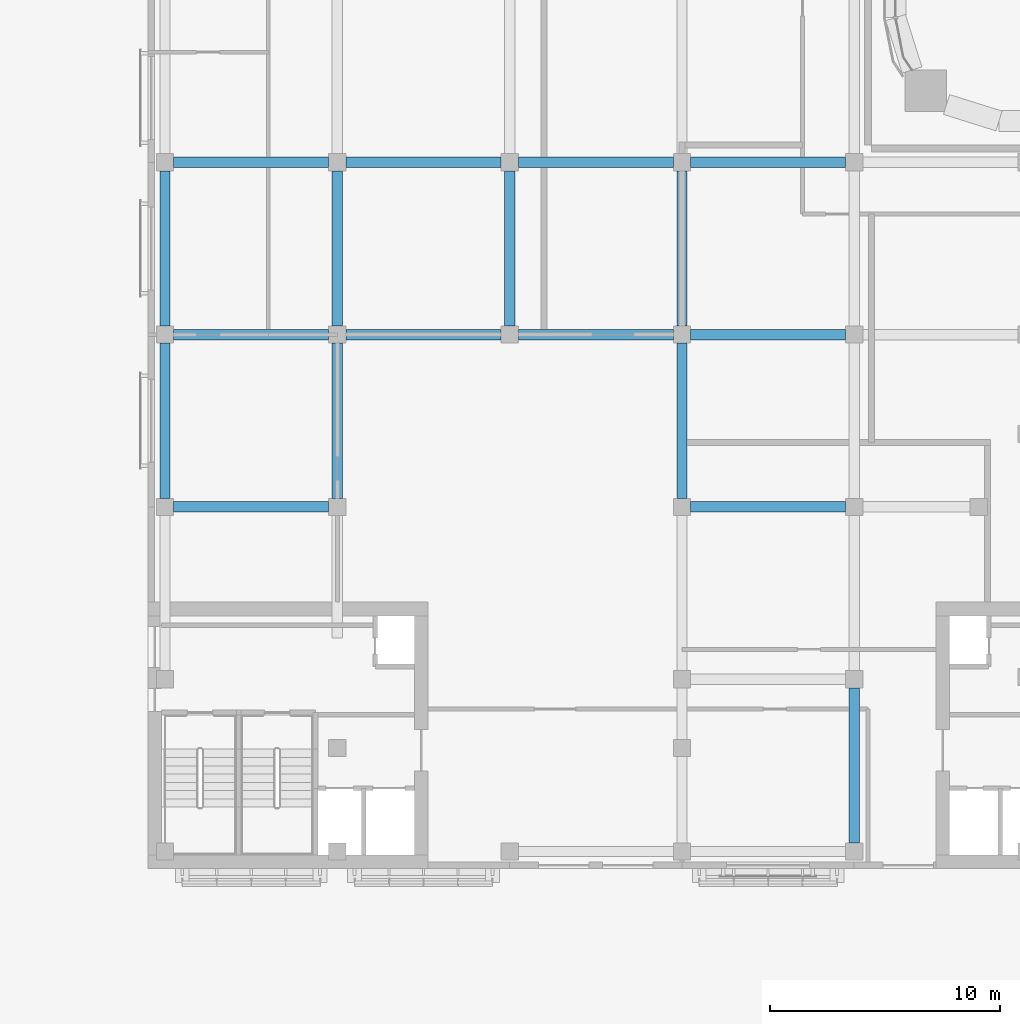
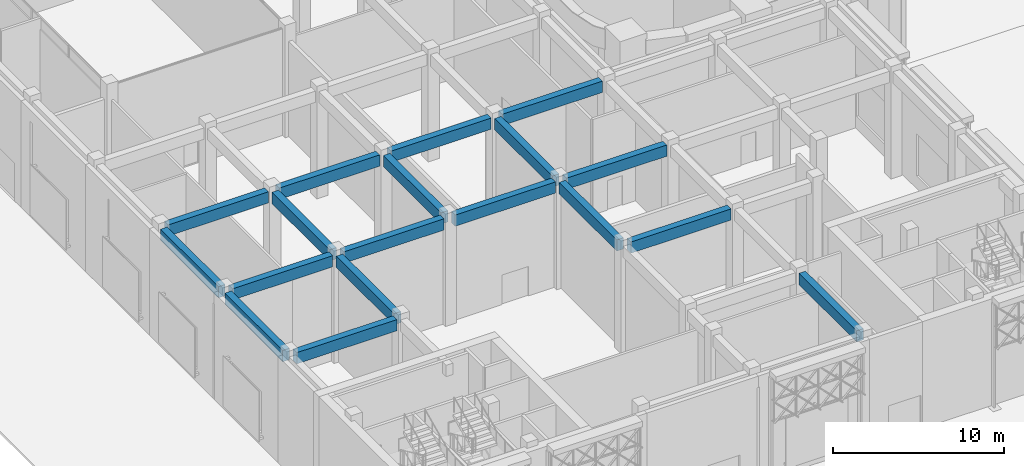
# One storey, part 4 of 64: 18 beams.
"""IFC4 building model written with IfcOpenShell, lengths in metres."""

from ifc_helpers import new_model, si_unit, direction, frame, origin, origin_2d, place, context, subcontext, project, spatial, rectangle, extrude, material, material_profile, profile_set, type_object, element, save


model = new_model("IFC4")

# Units and contexts
model_context = context("Model", 3, precision=1e-05, world=origin(), true_north=direction((0.0, 1.0)))
body_context = subcontext(model_context, "Body", "Model", "MODEL_VIEW")
ifc_project = project(units=[si_unit("LENGTHUNIT", "METRE"), si_unit("AREAUNIT", "SQUARE_METRE"), si_unit("VOLUMEUNIT", "CUBIC_METRE"), si_unit("PLANEANGLEUNIT", "RADIAN"), si_unit("MASSUNIT", "GRAM", prefix="KILO")], contexts=[model_context])

# Site, building, storey
site_placement = place(None, origin())
site = spatial("IfcSite", under=ifc_project, at=site_placement, CompositionType="ELEMENT")
building_placement = place(site_placement, origin())
building = spatial("IfcBuilding", under=site, at=building_placement, Name="Tessera Arch", CompositionType="ELEMENT")
storey_placement = place(building_placement, origin())
storey = spatial("IfcBuildingStorey", under=building, at=storey_placement, Name="L00", CompositionType="ELEMENT", Elevation=0.0)

# Beams
ifc_material = material(Name="Concrete C40/50", Category="concrete")
ifc_material_profile = material_profile(ifc_material, rectangle(XDim=0.449951171875, YDim=0.800048828125, at=origin_2d()), Name="Museum beam 450 x 800 Concrete C40/50")
ifc_profile_set = profile_set([ifc_material_profile], Name="Concrete C40/50")
beam_type = type_object("IfcBeamType", Name="Museum beam 450 x 800 Concrete C40/50", PredefinedType="BEAM", material=ifc_profile_set)
for number, where, z_axis, x_axis, name in (
    (1, (-31.800048828125, -16.425048828125, 7.18994140625), (0.0, 1.0, 0.0), (-1.0, 0.0, 0.0), "Museum beam L00 2"),
    (2, (-31.800048828125, -8.925048828125, 7.18994140625), (0.0, 1.0, 0.0), (-1.0, 0.0, 0.0), "Museum beam L00 3"),
    (3, (-24.300048828125, -16.425048828125, 7.18994140625), (0.0, 1.0, 0.0), (-1.0, 0.0, 0.0), "Museum beam L00 10"),
    (4, (-24.300048828125, -8.925048828125, 7.18994140625), (0.0, 1.0, 0.0), (-1.0, 0.0, 0.0), "Museum beam L00 11"),
    (5, (-16.800048828125, -8.925048828125, 7.18994140625), (0.0, 1.0, 0.0), (-1.0, 0.0, 0.0), "Museum beam L00 16"),
    (6, (-9.300048828125, -16.425048828125, 7.18994140625), (0.0, 1.0, 0.0), (-1.0, 0.0, 0.0), "Museum beam L00 24"),
    (7, (-9.300048828125, -8.925048828125, 7.18994140625), (0.0, 1.0, 0.0), (-1.0, 0.0, 0.0), "Museum beam L00 25"),
    (8, (-1.800048828125, -31.425048828125, 7.18994140625), (0.0, 1.0, 0.0), (-1.0, 0.0, 0.0), "Museum beam L00 34"),
    (9, (-31.425048828125, -16.800048828125, 7.18994140625), (1.0, 0.0, 0.0), (0.0, 1.0, 0.0), "Museum beam L00 54"),
    (10, (-8.925048828125, -16.800048828125, 7.18994140625), (1.0, 0.0, 0.0), (0.0, 1.0, 0.0), "Museum beam L00 55"),
    (11, (-31.425048828125, -9.300048828125, 7.18994140625), (1.0, 0.0, 0.0), (0.0, 1.0, 0.0), "Museum beam L00 57"),
    (12, (-23.925048828125, -9.300048828125, 7.18994140625), (1.0, 0.0, 0.0), (0.0, 1.0, 0.0), "Museum beam L00 58"),
    (13, (-16.425048828125, -9.300048828125, 7.18994140625), (1.0, 0.0, 0.0), (0.0, 1.0, 0.0), "Museum beam L00 59"),
    (14, (-8.925048828125, -9.300048828125, 7.18994140625), (1.0, 0.0, 0.0), (0.0, 1.0, 0.0), "Museum beam L00 60"),
    (15, (-31.425048828125, -1.800048828125, 7.18994140625), (1.0, 0.0, 0.0), (0.0, 1.0, 0.0), "Museum beam L00 63"),
    (16, (-23.925048828125, -1.800048828125, 7.18994140625), (1.0, 0.0, 0.0), (0.0, 1.0, 0.0), "Museum beam L00 64"),
    (17, (-16.425048828125, -1.800048828125, 7.18994140625), (1.0, 0.0, 0.0), (0.0, 1.0, 0.0), "Museum beam L00 65"),
    (18, (-8.925048828125, -1.800048828125, 7.18994140625), (1.0, 0.0, 0.0), (0.0, 1.0, 0.0), "Museum beam L00 66"),
):
    element("IfcBeam", number, at=place(storey_placement, frame(where, z_axis=z_axis, x_axis=x_axis)), inside=storey, type_object=beam_type, Name=name, PredefinedType="BEAM", context=body_context, shape_type="SweptSolid", body=[
        extrude(rectangle(XDim=0.449951171875, YDim=0.800048828125, at=origin_2d()), origin(), (0.0, 0.0, 1.0), 6.75),
    ])

save(model, "model.ifc")
